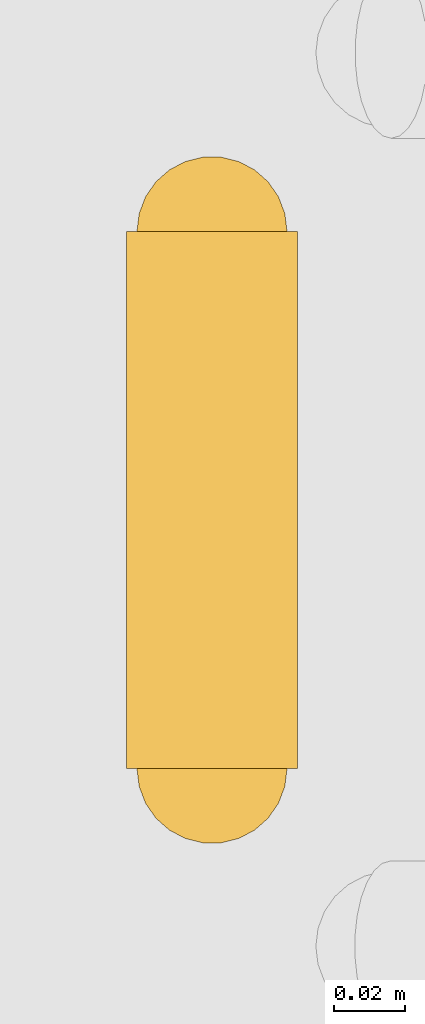
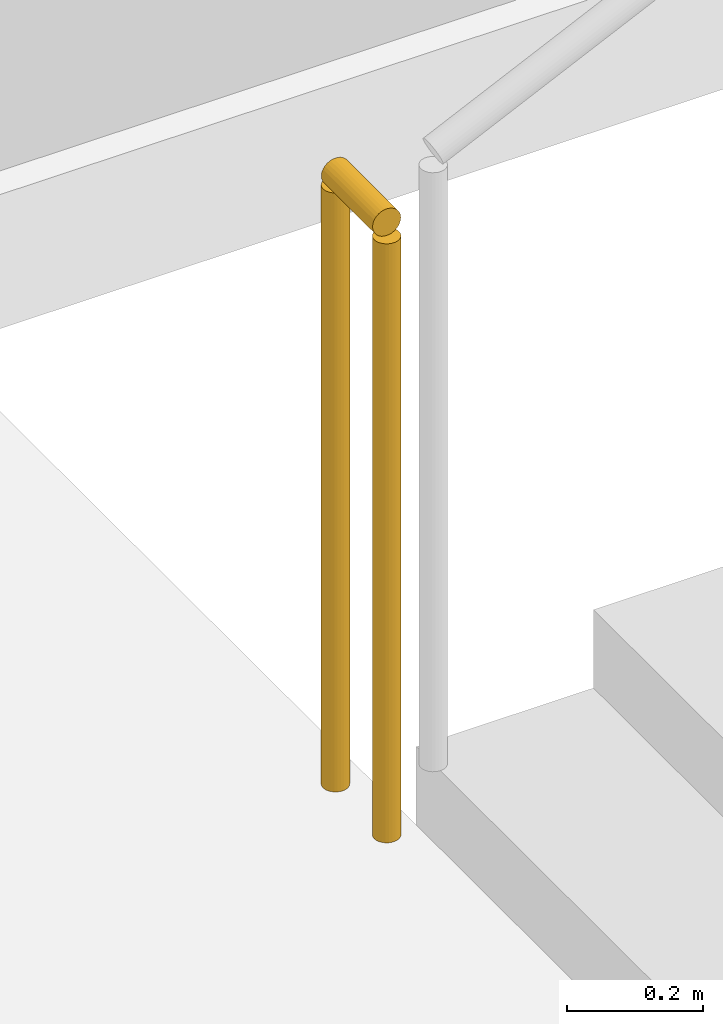
# One storey, part 90 of 93: 1 railing.
"""IFC4 building model written with IfcOpenShell, lengths in metres."""

from ifc_helpers import new_model, si_unit, direction, frame, origin, origin_2d, place, context, subcontext, project, spatial, circle, extrude, material, type_object, element, save


model = new_model("IFC4")

# Units and contexts
model_context = context("Model", 3, precision=1e-05, world=origin(), true_north=direction((0.0, 1.0)))
body_context = subcontext(model_context, "Body", "Model", "MODEL_VIEW")
ifc_project = project(units=[si_unit("LENGTHUNIT", "METRE"), si_unit("AREAUNIT", "SQUARE_METRE"), si_unit("VOLUMEUNIT", "CUBIC_METRE"), si_unit("PLANEANGLEUNIT", "RADIAN"), si_unit("MASSUNIT", "GRAM", prefix="KILO")], contexts=[model_context])

# Site, building, storey
site_placement = place(None, origin())
site = spatial("IfcSite", under=ifc_project, at=site_placement, CompositionType="ELEMENT")
building_placement = place(site_placement, origin())
building = spatial("IfcBuilding", under=site, at=building_placement, Name="Cumbredor Promenade Congress Hotel", CompositionType="ELEMENT")
storey_placement = place(building_placement, frame((0.0, 0.0, 21.840087890625)))
storey = spatial("IfcBuildingStorey", under=building, at=storey_placement, Name="L06", CompositionType="ELEMENT", Elevation=21.840087890625)

# Railing
ifc_material = material(Name="Brushed stainless steel", Category="steel")
railing_type = type_object("IfcRailingType", Name="Interior Void & Stair Guardrail GR-1100", PredefinedType="GUARDRAIL", material=ifc_material)
railing_placement = place(storey_placement, frame((43.75, 103.169921875, 0.0)))
element("IfcRailing", 1, at=railing_placement, inside=storey, type_object=railing_type, Name="L06 ST-03 stair guard 4", PredefinedType="GUARDRAIL", context=body_context, shape_type="SweptSolid", body=[
    extrude(circle(Radius=0.02392578125, at=origin_2d()), frame((0.0, 0.0, 1.09619140625), z_axis=(0.0, 1.0, 0.0), x_axis=(-1.0, 0.0, 0.0)), (0.0, 0.0, 1.0), 0.150146484375),
    extrude(circle(Radius=0.02099609375, at=origin_2d()), origin(), (0.0, 0.0, 1.0), 1.072021484375),
    extrude(circle(Radius=0.02099609375, at=origin_2d()), frame((0.0, 0.150146484375, 0.0)), (0.0, 0.0, 1.0), 1.072021484375),
])

save(model, "model.ifc")
